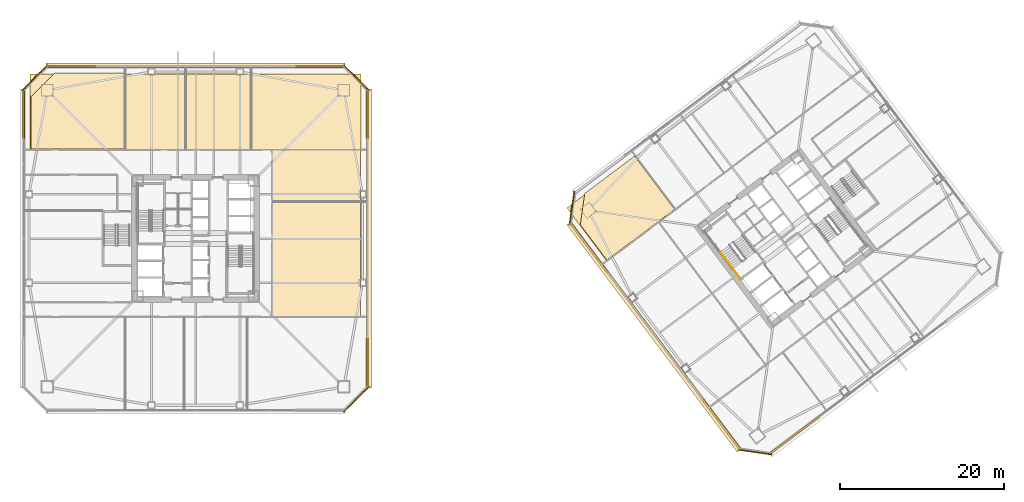
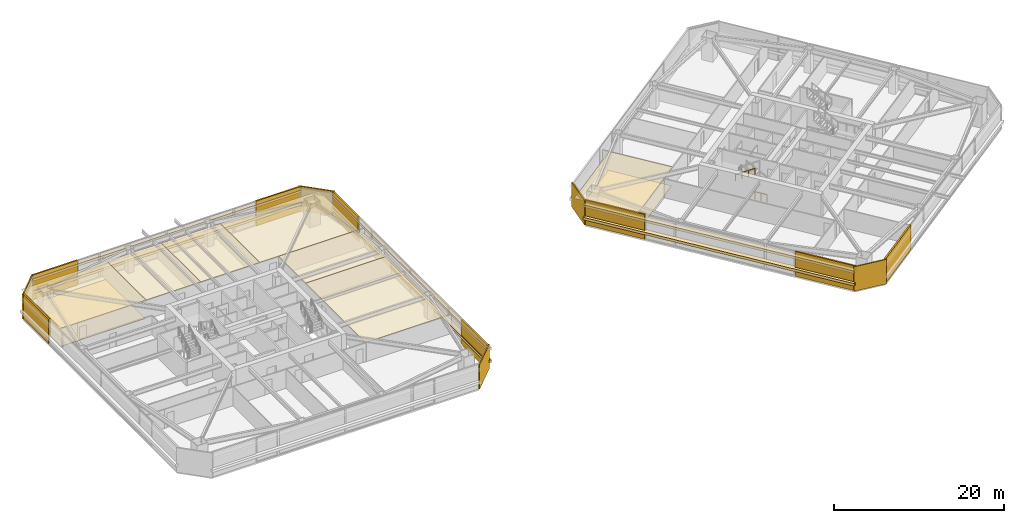
# One storey, part 40 of 44: 28 coverings, 2 railings.
"""IFC4 building model written with IfcOpenShell, lengths in metres."""

import ifcopenshell
import ifcopenshell.guid

model = None  # the IFC model being written
_history = None  # IfcOwnerHistory: only IFC2X3 demands one
_inside = {}  # id of a spatial element -> (the spatial element, [elements in it])
_under = {}  # id of a project, library or spatial element -> (it, [spatial elements below it])
_declared = {}  # id of a project -> (the project, [libraries it declares])
_typed = {}  # id of a type object -> (the type object, [elements of that type])
_made_of = {}  # id of a material, layer set ... -> (it, [elements and type objects made of it])


def new_model(schema):
    """Start an empty IFC model of exactly this schema.

    Asked for "IFC4X3", IfcOpenShell would pick the latest addendum, in which some entities
    have other attributes; the version numbers below select the first issue.
    IFC2X3 requires an IfcOwnerHistory on every rooted entity: one is made here for all.
    """
    global model, _history
    if schema == "IFC4X3":
        model = ifcopenshell.file(schema_version=(4, 3, 0, 0))
    else:
        model = ifcopenshell.file(schema=schema)
    _inside.clear()
    _under.clear()
    _declared.clear()
    _typed.clear()
    _made_of.clear()
    _history = None
    if model.schema == "IFC2X3":
        org = make("IfcOrganization", Name="unknown")
        user = make(
            "IfcPersonAndOrganization",
            ThePerson=make("IfcPerson", FamilyName="unknown"),
            TheOrganization=org,
        )
        app = make(
            "IfcApplication",
            ApplicationDeveloper=org,
            Version="unknown",
            ApplicationFullName="unknown",
            ApplicationIdentifier="unknown",
        )
        _history = make(
            "IfcOwnerHistory",
            OwningUser=user,
            OwningApplication=app,
            ChangeAction="ADDED",
            CreationDate=0,
        )
    return model


def make(cls, **values):
    """One entity of the class cls with the attributes given. An attribute that is None is left unset."""
    return model.create_entity(
        cls, **{name: value for name, value in values.items() if value is not None}
    )


def rooted(cls, **values):
    """An entity with a GlobalId (a new one), such as an element, a storey or a relation."""
    return make(cls, GlobalId=ifcopenshell.guid.new(), OwnerHistory=_history, **values)


def si_unit(unit_type, name, prefix=None):
    """IfcSIUnit, for example si_unit("LENGTHUNIT", "METRE", prefix="MILLI")."""
    return make("IfcSIUnit", UnitType=unit_type, Prefix=prefix, Name=name)


def assignment(units):
    """IfcUnitAssignment: the units of a project."""
    return None if units is None else make("IfcUnitAssignment", Units=units)


def point(xyz):
    """IfcCartesianPoint."""
    return None if xyz is None else make("IfcCartesianPoint", Coordinates=xyz)


def direction(xyz):
    """IfcDirection."""
    return None if xyz is None else make("IfcDirection", DirectionRatios=xyz)


def frame(location, z_axis=None, x_axis=None):
    """IfcAxis2Placement3D, a coordinate frame: its origin and axes. An axis left out is left unset."""
    return make(
        "IfcAxis2Placement3D",
        Location=point(location),
        Axis=direction(z_axis),
        RefDirection=direction(x_axis),
    )


def frame_2d(location, x_axis=None):
    """IfcAxis2Placement2D, a coordinate frame in the plane: its origin and x axis."""
    return make(
        "IfcAxis2Placement2D", Location=point(location), RefDirection=direction(x_axis)
    )


def origin():
    """The frame at (0, 0, 0) with its axes left unset."""
    return frame((0.0, 0.0, 0.0))


def origin_2d():
    """The frame at (0, 0) in the plane with its x axis left unset."""
    return frame_2d((0.0, 0.0))


def place(relative_to, where):
    """IfcLocalPlacement: puts the frame where relative to a parent placement (None: the world)."""
    return make(
        "IfcLocalPlacement", PlacementRelTo=relative_to, RelativePlacement=where
    )


def context(
    kind, dimensions, precision=None, world=None, true_north=None, identifier=None
):
    """IfcGeometricRepresentationContext, for example the 3D "Model" context."""
    return make(
        "IfcGeometricRepresentationContext",
        ContextIdentifier=identifier,
        ContextType=kind,
        CoordinateSpaceDimension=dimensions,
        Precision=precision,
        WorldCoordinateSystem=world,
        TrueNorth=true_north,
    )


def subcontext(parent, identifier, kind, view, scale=None):
    """IfcGeometricRepresentationSubContext, for example "Body" below "Model"."""
    return make(
        "IfcGeometricRepresentationSubContext",
        ContextIdentifier=identifier,
        ContextType=kind,
        ParentContext=parent,
        TargetScale=scale,
        TargetView=view,
    )


def project(units=None, contexts=None):
    """IfcProject with its units and contexts."""
    return rooted(
        "IfcProject",
        Name="project",
        RepresentationContexts=contexts,
        UnitsInContext=assignment(units),
    )


def spatial(cls, under=None, at=None, **own):
    """A site, building, storey or space (cls), placed at a placement, below another one or the project."""
    s = rooted(cls, ObjectPlacement=at, **own)
    if under is not None:
        _under.setdefault(under.id(), (under, []))[1].append(s)
    return s


def polyline(points):
    """IfcPolyline through the points."""
    return make("IfcPolyline", Points=[point(p) for p in points])


def profile(cls, at=None, kind="AREA", **sizes):
    """A parametric profile (cls). Its sizes go by their IFC names, for example OverallWidth=200.0."""
    return make(cls, ProfileType=kind, Position=at, **sizes)


def rectangle(**sizes):
    """IfcRectangleProfileDef."""
    return profile("IfcRectangleProfileDef", **sizes)


def outline(outer, holes=None, kind="AREA"):
    """IfcArbitraryClosedProfileDef: a profile drawn as a closed curve; with holes, ...WithVoids."""
    if holes is None:
        return make("IfcArbitraryClosedProfileDef", ProfileType=kind, OuterCurve=outer)
    return make(
        "IfcArbitraryProfileDefWithVoids",
        ProfileType=kind,
        OuterCurve=outer,
        InnerCurves=holes,
    )


def extrude(swept, where, along, depth):
    """IfcExtrudedAreaSolid: the profile swept, set in the frame where, extruded along a direction by depth."""
    return make(
        "IfcExtrudedAreaSolid",
        SweptArea=swept,
        Position=where,
        ExtrudedDirection=direction(along),
        Depth=depth,
    )


def shape(context_of_items, identifier, shape_type, items):
    """IfcShapeRepresentation: the items that make up one representation, for example the "Body"."""
    return make(
        "IfcShapeRepresentation",
        ContextOfItems=context_of_items,
        RepresentationIdentifier=identifier,
        RepresentationType=shape_type,
        Items=items,
    )


def material(Name=None, Category=None):
    """IfcMaterial."""
    return make("IfcMaterial", Name=Name, Category=Category)


def layer(
    of_material, thickness, ventilated=None, Name=None, Category=None, Priority=None
):
    """IfcMaterialLayer: one layer of a wall or slab, of a material (None: an air gap)."""
    return make(
        "IfcMaterialLayer",
        Material=of_material,
        LayerThickness=thickness,
        IsVentilated=ventilated,
        Name=Name,
        Category=Category,
        Priority=Priority,
    )


def layer_set(layers, Name=None):
    """IfcMaterialLayerSet."""
    return make("IfcMaterialLayerSet", MaterialLayers=layers, LayerSetName=Name)


def made_of(thing, what):
    """Note that an element or type object is made of a material, layer set ...; save() writes the relation."""
    if what is not None:
        _made_of.setdefault(what.id(), (what, []))[1].append(thing)
    return thing


def type_object(cls, material=None, **own):
    """A type object (cls), such as IfcWallType, which elements share."""
    return made_of(rooted(cls, **own), material)


def element(
    cls,
    number,
    at=None,
    inside=None,
    cuts=None,
    type_object=None,
    material=None,
    context=None,
    identifier="Body",
    shape_type=None,
    held_by="IfcProductDefinitionShape",
    body=None,
    shapes=None,
    **own,
):
    """One element of the class cls, such as IfcWall. Its Tag is "e" and its number.

    at: its placement. inside: the storey or other place that contains it. cuts: it is an
    opening in that element (IfcRelVoidsElement). A single representation is given by context,
    identifier, shape_type and body (its items); several are given by shapes. held_by: the class
    of the entity that holds the representations. save() writes the other relations.
    """
    e = rooted(cls, Tag="e%d" % number, ObjectPlacement=at, **own)
    if body is not None:
        shapes = [shape(context, identifier, shape_type, body)]
    if shapes is not None:
        e.Representation = make(held_by, Representations=shapes)
    if inside is not None:
        _inside.setdefault(inside.id(), (inside, []))[1].append(e)
    if cuts is not None:
        rooted(
            "IfcRelVoidsElement", RelatingBuildingElement=cuts, RelatedOpeningElement=e
        )
    if type_object is not None:
        _typed.setdefault(type_object.id(), (type_object, []))[1].append(e)
    return made_of(e, material)


def aggregate(whole, parts):
    """IfcRelAggregates: a whole, such as a stair, and the parts it consists of."""
    return rooted("IfcRelAggregates", RelatingObject=whole, RelatedObjects=parts)


def save(model, path):
    """Write the relations noted so far, then the file.

    IfcRelAggregates (storeys below a building ...), IfcRelContainedInSpatialStructure (elements
    in a storey), IfcRelDefinesByType, IfcRelAssociatesMaterial and IfcRelDeclares: one each for
    every whole, place, type object, material and project.
    """
    for whole, parts in _under.values():
        aggregate(whole, parts)
    for where, things in _inside.values():
        rooted(
            "IfcRelContainedInSpatialStructure",
            RelatedElements=things,
            RelatingStructure=where,
        )
    for kind, things in _typed.values():
        rooted("IfcRelDefinesByType", RelatedObjects=things, RelatingType=kind)
    for what, things in _made_of.values():
        rooted("IfcRelAssociatesMaterial", RelatedObjects=things, RelatingMaterial=what)
    for by, libraries in _declared.values():
        rooted("IfcRelDeclares", RelatingContext=by, RelatedDefinitions=libraries)
    model.write(path)


model = new_model("IFC4")

# Units and contexts
model_context = context("Model", 3, precision=1e-05, world=origin(), true_north=direction((0.0, 1.0)))
body_context = subcontext(model_context, "Body", "Model", "MODEL_VIEW")
ifc_project = project(units=[si_unit("LENGTHUNIT", "METRE"), si_unit("AREAUNIT", "SQUARE_METRE"), si_unit("VOLUMEUNIT", "CUBIC_METRE"), si_unit("PLANEANGLEUNIT", "RADIAN"), si_unit("MASSUNIT", "GRAM", prefix="KILO")], contexts=[model_context])

# Site, building, storey
site_placement = place(None, origin())
site = spatial("IfcSite", under=ifc_project, at=site_placement, CompositionType="ELEMENT")
building_placement = place(site_placement, origin())
building = spatial("IfcBuilding", under=site, at=building_placement, Name="Tashvorn Skyway Center", CompositionType="ELEMENT")
storey_placement = place(building_placement, frame((0.0, 0.0, 74.300048828125)))
storey = spatial("IfcBuildingStorey", under=building, at=storey_placement, Name="L19", CompositionType="ELEMENT", Elevation=74.300048828125)

# Coverings
ifc_material_1 = material(Name="Precast concrete C40/50", Category="concrete")
ifc_layer_1 = layer(ifc_material_1, 0.199951171875)
ifc_layer_set_1 = layer_set([ifc_layer_1], Name="Precast concrete C40/50")
covering_type_1 = type_object("IfcCoveringType", Name="COV-BRACE-CLAD", PredefinedType="CLADDING", material=ifc_layer_set_1)
for number, where, z_axis, x_axis, name in (
    (1, (21.02001953125, 47.14990234375, 0.0), (0.0, 0.0, 1.0), (0.0, 1.0, 0.0), "Tower 1 L19 West Unitised Curtain Wall Mega-Brace Cladding Band 2"),
    (2, (26.85009765625, 52.97998046875, 0.0), (0.0, 0.0, 1.0), (1.0, 0.0, 0.0), "Tower 1 L19 North Unitised Curtain Wall Mega-Brace Cladding Band 1"),
    (3, (57.14990234375, 52.97998046875, 0.0), (0.0, 0.0, 1.0), (1.0, 0.0, 0.0), "Tower 1 L19 North Unitised Curtain Wall Mega-Brace Cladding Band 2"),
    (4, (62.97998046875, 47.14990234375, 0.0), (0.0, 0.0, 1.0), (0.0, -1.0, 0.0), "Tower 1 L19 East Unitised Curtain Wall Mega-Brace Cladding Band 1"),
    (5, (62.97998046875, 16.85009765625, 0.0), (0.0, 0.0, 1.0), (0.0, -1.0, 0.0), "Tower 1 L19 East Unitised Curtain Wall Mega-Brace Cladding Band 2"),
):
    element("IfcCovering", number, at=place(storey_placement, frame(where, z_axis=z_axis, x_axis=x_axis)), inside=storey, type_object=covering_type_1, Name=name, PredefinedType="CLADDING", context=body_context, shape_type="SweptSolid", body=[
        extrude(rectangle(XDim=6.06005859375, YDim=0.199951171875, at=origin_2d()), origin(), (0.0, 0.0, 1.0), 3.550048828125),
    ])
for number, where, z_axis, x_axis, name in (
    (6, (115.176025390625, 8.031982421875, 0.0), (0.0, 0.0, 1.0), (-0.799999996291, -0.600000004945, 0.0), "Tower 2 L19 South Unitised Curtain Wall Mega-Brace Cladding Band 2"),
    (7, (106.159912109375, 9.320068359375, 0.0), (0.0, 0.0, 1.0), (-0.600000004945, 0.799999996291, 0.0), "Tower 2 L19 West Unitised Curtain Wall Mega-Brace Cladding Band 1"),
    (8, (90.031982421875, 30.823974609375, 0.0), (0.0, 0.0, 1.0), (-0.600000004945, 0.799999996291, 0.0), "Tower 2 L19 West Unitised Curtain Wall Mega-Brace Cladding Band 2"),
):
    element("IfcCovering", number, at=place(storey_placement, frame(where, z_axis=z_axis, x_axis=x_axis)), inside=storey, type_object=covering_type_1, Name=name, PredefinedType="CLADDING", context=body_context, shape_type="SweptSolid", body=[
        extrude(rectangle(XDim=7.679931640625, YDim=0.199951171875, at=origin_2d()), origin(), (0.0, 0.0, 1.0), 3.550048828125),
    ])
ifc_material_2 = material(Name="Mineral-fibre acoustic ceiling tile on suspended grid")
ifc_layer_2 = layer(ifc_material_2, 0.02001953125)
ifc_layer_set_2 = layer_set([ifc_layer_2], Name="Mineral-fibre acoustic ceiling tile on suspended grid")
covering_type_2 = type_object("IfcCoveringType", Name="COV-CEIL-20", PredefinedType="CEILING", material=ifc_layer_set_2)
covering_1_placement = place(storey_placement, frame((0.0, 0.0, 2.682861328125)))
element("IfcCovering", 9, at=covering_1_placement, inside=storey, type_object=covering_type_2, Name="Tower 1 L19 Conference Room Acoustic Ceiling", PredefinedType="CEILING", context=body_context, shape_type="SweptSolid", body=[
    extrude(outline(polyline([(21.800048828125, 42.85009765625), (33.39990234375, 42.85009765625), (33.39990234375, 52.10009765625), (21.800048828125, 52.10009765625), (21.800048828125, 42.85009765625)])), origin(), (0.0, 0.0, 1.0), 0.02001953125),
])
covering_2_placement = place(storey_placement, frame((0.0, 0.0, 2.682861328125)))
element("IfcCovering", 10, at=covering_2_placement, inside=storey, type_object=covering_type_2, Name="Tower 1 L19 Conference Room Acoustic Ceiling", PredefinedType="CEILING", context=body_context, shape_type="SweptSolid", body=[
    extrude(outline(polyline([(33.39990234375, 42.85009765625), (40.800048828125, 42.85009765625), (40.800048828125, 52.10009765625), (33.39990234375, 52.10009765625), (33.39990234375, 42.85009765625)])), origin(), (0.0, 0.0, 1.0), 0.02001953125),
])
covering_3_placement = place(storey_placement, frame((0.0, 0.0, 2.682861328125)))
element("IfcCovering", 11, at=covering_3_placement, inside=storey, type_object=covering_type_2, Name="Tower 1 L19 Boardroom Acoustic Ceiling", PredefinedType="CEILING", context=body_context, shape_type="SweptSolid", body=[
    extrude(outline(polyline([(40.800048828125, 42.85009765625), (48.800048828125, 42.85009765625), (48.800048828125, 52.10009765625), (40.800048828125, 52.10009765625), (40.800048828125, 42.85009765625)])), origin(), (0.0, 0.0, 1.0), 0.02001953125),
])
covering_4_placement = place(storey_placement, frame((0.0, 0.0, 2.682861328125)))
element("IfcCovering", 12, at=covering_4_placement, inside=storey, type_object=covering_type_2, Name="Tower 1 L19 Gallery Showroom Acoustic Ceiling", PredefinedType="CEILING", context=body_context, shape_type="SweptSolid", body=[
    extrude(outline(polyline([(48.800048828125, 42.85009765625), (62.199951171875, 42.85009765625), (62.199951171875, 52.10009765625), (48.800048828125, 52.10009765625), (48.800048828125, 42.85009765625)])), origin(), (0.0, 0.0, 1.0), 0.02001953125),
])
covering_5_placement = place(storey_placement, frame((0.0, 0.0, 2.682861328125)))
element("IfcCovering", 13, at=covering_5_placement, inside=storey, type_object=covering_type_2, Name="Tower 1 L19 Gallery Showroom Acoustic Ceiling", PredefinedType="CEILING", context=body_context, shape_type="SweptSolid", body=[
    extrude(outline(polyline([(51.35009765625, 22.429931640625), (62.10009765625, 22.429931640625), (62.10009765625, 36.5), (51.35009765625, 36.5), (51.35009765625, 22.429931640625)])), origin(), (0.0, 0.0, 1.0), 0.02001953125),
])
covering_6_placement = place(storey_placement, frame((0.0, 0.0, 2.682861328125)))
element("IfcCovering", 14, at=covering_6_placement, inside=storey, type_object=covering_type_2, Name="Tower 1 L19 Public Restroom Acoustic Ceiling", PredefinedType="CEILING", context=body_context, shape_type="SweptSolid", body=[
    extrude(outline(polyline([(51.35009765625, 36.5), (62.10009765625, 36.5), (62.10009765625, 42.85009765625), (51.35009765625, 42.85009765625), (51.35009765625, 36.5)])), origin(), (0.0, 0.0, 1.0), 0.02001953125),
])
covering_7_placement = place(storey_placement, frame((0.0, 0.0, 2.682861328125)))
element("IfcCovering", 15, at=covering_7_placement, inside=storey, type_object=covering_type_2, Name="Tower 2 L19 Conference Room Acoustic Ceiling", PredefinedType="CEILING", context=body_context, shape_type="SweptSolid", body=[
    extrude(outline(polyline([(92.179931640625, 29.260009765625), (100.580078125, 35.56005859375), (95.719970703125, 42.0400390625), (87.320068359375, 35.739990234375), (92.179931640625, 29.260009765625)])), origin(), (0.0, 0.0, 1.0), 0.02001953125),
])
ifc_material_3 = material(Name="Polished Mojave desert-aggregate terrazzo and cover plate")
ifc_layer_3 = layer(ifc_material_3, 0.0400390625)
ifc_layer_set_3 = layer_set([ifc_layer_3], Name="Polished Mojave desert-aggregate terrazzo and cover plate")
covering_type_3 = type_object("IfcCoveringType", Name="COV-FLR-40", PredefinedType="FLOORING", material=ifc_layer_set_3)
covering_8_placement = place(storey_placement, origin())
element("IfcCovering", 16, at=covering_8_placement, inside=storey, type_object=covering_type_3, Name="Tower 1 L19 Conference Room Finish Flooring", PredefinedType="FLOORING", context=body_context, shape_type="SweptSolid", body=[
    extrude(outline(polyline([(33.320068359375, 42.929931640625), (21.8798828125, 42.929931640625), (21.8798828125, 49.280029296875), (24.800048828125, 52.199951171875), (33.320068359375, 52.199951171875), (33.320068359375, 42.929931640625)])), origin(), (0.0, 0.0, 1.0), 0.0400390625),
])
covering_9_placement = place(storey_placement, origin())
element("IfcCovering", 17, at=covering_9_placement, inside=storey, type_object=covering_type_3, Name="Tower 2 L19 Conference Room Finish Flooring", PredefinedType="FLOORING", context=body_context, shape_type="SweptSolid", body=[
    extrude(outline(polyline([(100.468017578125, 35.575927734375), (92.196044921875, 29.3720703125), (88.9560546875, 33.69189453125), (89.5, 37.5), (95.595947265625, 42.072021484375), (100.468017578125, 35.575927734375)])), origin(), (0.0, 0.0, 1.0), 0.0400390625),
])
ifc_material_4 = material(Name="Perforated ceramic-coated bronze aluminium solar screen", Category="aluminium")
ifc_layer_4 = layer(ifc_material_4, 0.85009765625)
ifc_layer_set_4 = layer_set([ifc_layer_4], Name="Perforated ceramic-coated bronze aluminium solar screen")
covering_type_4 = type_object("IfcCoveringType", Name="COV-SOLAR-BAND", PredefinedType="CLADDING", material=ifc_layer_set_4)
for number, where, z_axis, x_axis, name in (
    (18, (42.0, 53.1201171875, 0.919921875), (0.0, 0.0, 1.0), (1.0, 0.0, 0.0), "L19 Perforated Ceramic-Metal Solar Screen Louvre Band North 1"),
    (19, (42.0, 53.1201171875, 2.7197265625), (0.0, 0.0, 1.0), (1.0, 0.0, 0.0), "L19 Perforated Ceramic-Metal Solar Screen Louvre Band North 2"),
    (20, (63.1201171875, 32.0, 0.919921875), (0.0, 0.0, 1.0), (0.0, -1.0, 0.0), "L19 Perforated Ceramic-Metal Solar Screen Louvre Band East 1"),
    (21, (63.1201171875, 32.0, 2.7197265625), (0.0, 0.0, 1.0), (0.0, -1.0, 0.0), "L19 Perforated Ceramic-Metal Solar Screen Louvre Band East 2"),
):
    element("IfcCovering", number, at=place(storey_placement, frame(where, z_axis=z_axis, x_axis=x_axis)), inside=storey, type_object=covering_type_4, Name=name, PredefinedType="CLADDING", context=body_context, shape_type="SweptSolid", body=[
        extrude(rectangle(XDim=36.47998046875, YDim=0.639892578125, at=origin_2d()), origin(), (0.0, 0.0, 1.0), 0.360107421875),
    ])
for number, where, z_axis, x_axis, name in (
    (22, (97.98388671875, 19.988037109375, 0.919921875), (0.0, 0.0, 1.0), (-0.600000004945, 0.799999996291, 0.0), "L19 Perforated Ceramic-Metal Solar Screen Louvre Band West 1"),
    (23, (97.98388671875, 19.988037109375, 2.7197265625), (0.0, 0.0, 1.0), (-0.600000004945, 0.799999996291, 0.0), "L19 Perforated Ceramic-Metal Solar Screen Louvre Band West 2"),
):
    element("IfcCovering", number, at=place(storey_placement, frame(where, z_axis=z_axis, x_axis=x_axis)), inside=storey, type_object=covering_type_4, Name=name, PredefinedType="CLADDING", context=body_context, shape_type="SweptSolid", body=[
        extrude(rectangle(XDim=34.679931640625, YDim=0.639892578125, at=origin_2d()), origin(), (0.0, 0.0, 1.0), 0.360107421875),
    ])
ifc_layer_5 = layer(ifc_material_1, 0.35009765625)
ifc_layer_set_5 = layer_set([ifc_layer_5], Name="Precast concrete C40/50")
covering_type_5 = type_object("IfcCoveringType", Name="COV-STONE-TRIM", PredefinedType="CLADDING", material=ifc_layer_set_5)
for number, where, z_axis, x_axis, name in (
    (24, (22.3798828125, 51.6201171875, 0.02001953125), (0.0, 0.0, 1.0), (-0.707106781187, -0.707106781187, 0.0), "Tower 1 L19 NW Mojave Limestone Corner Quoin"),
    (25, (61.6201171875, 51.6201171875, 0.02001953125), (0.0, 0.0, 1.0), (0.707106781187, -0.707106781187, 0.0), "Tower 1 L19 NE Mojave Limestone Corner Quoin"),
    (26, (61.6201171875, 12.3798828125, 0.02001953125), (0.0, 0.0, 1.0), (0.707106781187, 0.707106781187, 0.0), "Tower 1 L19 SE Mojave Limestone Corner Quoin"),
):
    element("IfcCovering", number, at=place(storey_placement, frame(where, z_axis=z_axis, x_axis=x_axis)), inside=storey, type_object=covering_type_5, Name=name, PredefinedType="CLADDING", context=body_context, shape_type="SweptSolid", body=[
        extrude(rectangle(XDim=4.402587890625, YDim=0.139892578125, at=origin_2d()), origin(), (0.0, 0.0, 1.0), 3.510009765625),
    ])
for number, where, z_axis, x_axis, name in (
    (27, (110.27587890625, 5.931884765625, 0.02001953125), (0.0, 0.0, 1.0), (-0.989949494535, 0.141421350118, 0.0), "Tower 2 L19 SW Mojave Limestone Corner Quoin"),
    (28, (87.931884765625, 35.72412109375, 0.02001953125), (0.0, 0.0, 1.0), (-0.141421350118, -0.989949494535, 0.0), "Tower 2 L19 NW Mojave Limestone Corner Quoin"),
):
    element("IfcCovering", number, at=place(storey_placement, frame(where, z_axis=z_axis, x_axis=x_axis)), inside=storey, type_object=covering_type_5, Name=name, PredefinedType="CLADDING", context=body_context, shape_type="SweptSolid", body=[
        extrude(rectangle(XDim=4.119873046875, YDim=0.139892578125, at=origin_2d()), origin(), (0.0, 0.0, 1.0), 3.510009765625),
    ])

# Railings
ifc_material_5 = material(Name="Brushed stainless steel 316", Category="steel")
railing_type_1 = type_object("IfcRailingType", Name="RAIL-HAND-920", PredefinedType="HANDRAIL", material=ifc_material_5)
railing_1_placement = place(storey_placement, frame((106.072021484375, 30.35400390625, 1.952392578125)))
element("IfcRailing", 29, at=railing_1_placement, inside=storey, type_object=railing_type_1, Name="L19 ST-T2-1 stair handrail 2", PredefinedType="HANDRAIL", context=body_context, shape_type="SweptSolid", body=[
    extrude(rectangle(XDim=0.048095703125, YDim=0.048095703125, at=origin_2d()), frame((0.0, 0.0, 0.8759765625), z_axis=(0.506718600913, -0.675679348675, 0.535437836974), x_axis=(0.800023250257, 0.599968998406, 0.0)), (0.0, 0.0, 1.0), 2.98388671875),
    extrude(rectangle(XDim=0.0419921875, YDim=0.0419921875, at=origin_2d()), origin(), (0.0, 0.0, 1.0), 0.851806640625),
    extrude(rectangle(XDim=0.0419921875, YDim=0.0419921875, at=origin_2d()), frame((0.50390625, -0.672119140625, 0.532470703125)), (0.0, 0.0, 1.0), 0.851806640625),
    extrude(rectangle(XDim=0.0419921875, YDim=0.0419921875, at=origin_2d()), frame((1.008056640625, -1.343994140625, 1.065185546875)), (0.0, 0.0, 1.0), 0.851806640625),
    extrude(rectangle(XDim=0.0419921875, YDim=0.0419921875, at=origin_2d()), frame((1.511962890625, -2.01611328125, 1.59765625)), (0.0, 0.0, 1.0), 0.851806640625),
])
ifc_material_6 = material(Name="Painted galvanized steel S355", Category="steel")
railing_type_2 = type_object("IfcRailingType", Name="RAIL-STGUARD-1100", PredefinedType="GUARDRAIL", material=ifc_material_6)
railing_2_placement = place(storey_placement, frame((108.49609375, 27.1220703125, 0.0)))
element("IfcRailing", 30, at=railing_2_placement, inside=storey, type_object=railing_type_2, Name="L19 ST-T2-1 stair guard 6", PredefinedType="GUARDRAIL", context=body_context, shape_type="SweptSolid", body=[
    extrude(rectangle(XDim=0.048095703125, YDim=0.048095703125, at=origin_2d()), frame((0.0, 0.0, 1.076171875), z_axis=(-0.600102796382, 0.799922892393, 0.0), x_axis=(-0.799922892393, -0.600102796382, 0.0)), (0.0, 0.0, 1.0), 1.52001953125),
    extrude(rectangle(XDim=0.0419921875, YDim=0.0419921875, at=origin_2d()), origin(), (0.0, 0.0, 1.0), 1.052001953125),
    extrude(rectangle(XDim=0.0419921875, YDim=0.0419921875, at=origin_2d()), frame((-0.4560546875, 0.60791015625, 0.0)), (0.0, 0.0, 1.0), 1.052001953125),
    extrude(rectangle(XDim=0.0419921875, YDim=0.0419921875, at=origin_2d()), frame((-0.912109375, 1.2158203125, 0.0)), (0.0, 0.0, 1.0), 1.052001953125),
])

save(model, "model.ifc")
